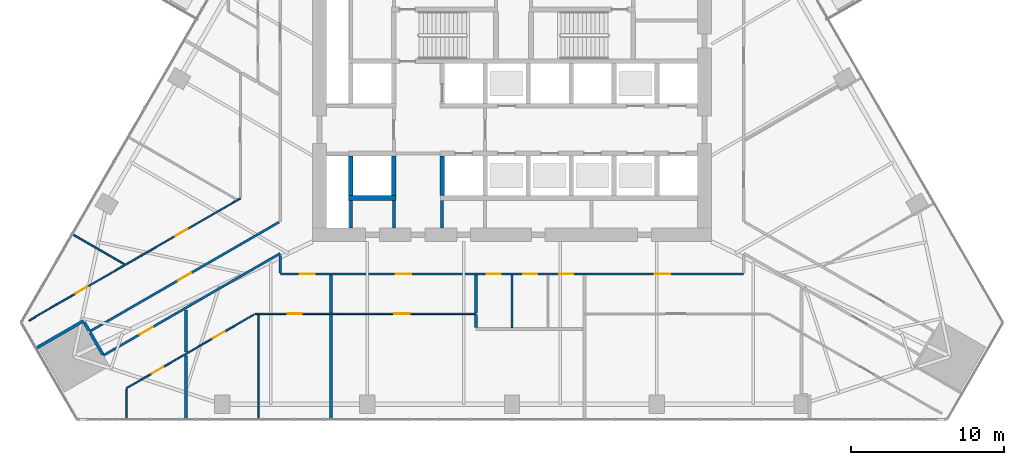
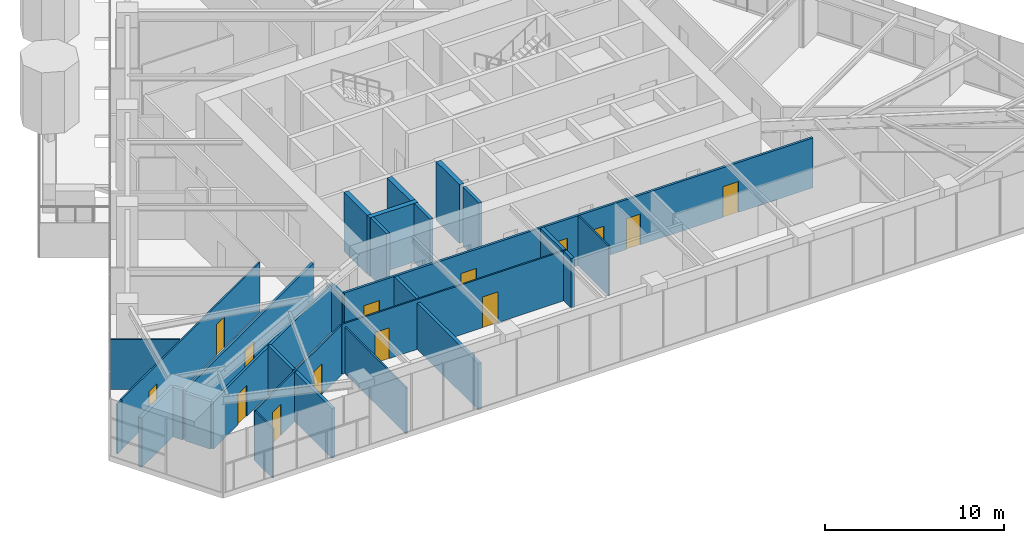
# One storey, part 16 of 25: 28 walls, 14 doors, 14 openings.
"""IFC4 building model written with IfcOpenShell, lengths in metres."""

from ifc_helpers import new_model, si_unit, direction, frame, frame_2d, origin, place, context, subcontext, project, spatial, rectangle, extrude, material, layer, layer_set, type_object, element, fill, save


model = new_model("IFC4")

# Units and contexts
model_context = context("Model", 3, precision=1e-05, world=origin(), true_north=direction((0.0, 1.0)))
body_context = subcontext(model_context, "Body", "Model", "MODEL_VIEW")
ifc_project = project(units=[si_unit("LENGTHUNIT", "METRE"), si_unit("AREAUNIT", "SQUARE_METRE"), si_unit("VOLUMEUNIT", "CUBIC_METRE"), si_unit("PLANEANGLEUNIT", "RADIAN"), si_unit("MASSUNIT", "GRAM", prefix="KILO")], contexts=[model_context])

# Site, building, storey
site_placement = place(None, origin())
site = spatial("IfcSite", under=ifc_project, at=site_placement, CompositionType="ELEMENT")
building_placement = place(site_placement, origin())
building = spatial("IfcBuilding", under=site, at=building_placement, Name="Firuza Gate Tower and Library", CompositionType="ELEMENT")
storey_placement = place(building_placement, frame((0.0, 0.0, 86.199951171875)))
storey = spatial("IfcBuildingStorey", under=building, at=storey_placement, Name="L19", CompositionType="ELEMENT", Elevation=86.199951171875)

# Walls
ifc_material_1 = material(Name="Plasterboard on steel studs", Category="steel")
ifc_layer_1 = layer(ifc_material_1, 0.199951171875)
ifc_layer_set_1 = layer_set([ifc_layer_1], Name="Core partition 200 EI 120")
wall_type_1 = type_object("IfcWallType", Name="Core partition 200 EI 120", PredefinedType="PARTITIONING", material=ifc_layer_set_1)
for number, where, z_axis, x_axis, name in (
    (1, (64.5, 66.89990234375, 0.0), (0.0, 0.0, 1.0), (0.0, 1.0, 0.0), "Core partition L19 5"),
    (2, (67.300048828125, 66.89990234375, 0.0), (0.0, 0.0, 1.0), (0.0, 1.0, 0.0), "Core partition L19 7"),
    (3, (70.449951171875, 66.89990234375, 0.0), (0.0, 0.0, 1.0), (0.0, 1.0, 0.0), "Core partition L19 10"),
):
    element("IfcWall", number, at=place(storey_placement, frame(where, z_axis=z_axis, x_axis=x_axis)), inside=storey, type_object=wall_type_1, Name=name, PredefinedType="PARTITIONING", context=body_context, shape_type="SweptSolid", body=[
        extrude(rectangle(XDim=1.800048828125, YDim=0.199951171875, at=frame_2d((0.89990234375, 0.0))), origin(), (0.0, 0.0, 1.0), 4.0),
    ])
ifc_material_2 = material(Name="Concrete C80/95", Category="concrete")
ifc_layer_2 = layer(ifc_material_2, 0.300048828125)
ifc_layer_set_2 = layer_set([ifc_layer_2], Name="Core wall 300 C80/95")
wall_type_2 = type_object("IfcWallType", Name="Core wall 300 C80/95", PredefinedType="SHEAR", material=ifc_layer_set_2)
wall_1_placement = place(storey_placement, frame((64.35009765625, 68.85009765625, 0.0), z_axis=(0.0, 0.0, 1.0), x_axis=(1.0, 0.0, 0.0)))
element("IfcWall", 4, at=wall_1_placement, inside=storey, type_object=wall_type_2, Name="Core wall L19 5", PredefinedType="SHEAR", context=body_context, shape_type="SweptSolid", body=[
    extrude(rectangle(XDim=3.099853515625, YDim=0.300048828125, at=frame_2d((1.5498046875, 0.0))), origin(), (0.0, 0.0, 1.0), 4.0),
])
for number, where, z_axis, x_axis, name in (
    (5, (64.5, 69.0, 0.0), (0.0, 0.0, 1.0), (0.0, 1.0, 0.0), "Core wall L19 11"),
    (6, (67.300048828125, 69.0, 0.0), (0.0, 0.0, 1.0), (0.0, 1.0, 0.0), "Core wall L19 13"),
    (7, (70.449951171875, 69.0, 0.0), (0.0, 0.0, 1.0), (0.0, 1.0, 0.0), "Core wall L19 15"),
):
    element("IfcWall", number, at=place(storey_placement, frame(where, z_axis=z_axis, x_axis=x_axis)), inside=storey, type_object=wall_type_2, Name=name, PredefinedType="SHEAR", context=body_context, shape_type="SweptSolid", body=[
        extrude(rectangle(XDim=2.60009765625, YDim=0.300048828125, at=frame_2d((1.300048828125, 0.0))), origin(), (0.0, 0.0, 1.0), 4.0),
    ])

# Wall, openings, doors
ifc_material_3 = material(Name="Gypsum board partition")
ifc_layer_3 = layer(ifc_material_3, 0.14990234375)
ifc_layer_set_3 = layer_set([ifc_layer_3], Name="Corridor wall 150 double board on steel studs")
wall_type_3 = type_object("IfcWallType", Name="Corridor wall 150 double board on steel studs", PredefinedType="PARTITIONING", material=ifc_layer_set_3)
wall_2_placement = place(storey_placement, frame((90.10009765625, 63.89990234375, 0.0), z_axis=(0.0, 0.0, 1.0), x_axis=(-1.0, 0.0, 0.0)))
wall_2 = element("IfcWall", 8, at=wall_2_placement, inside=storey, type_object=wall_type_3, Name="f:L19:w004", PredefinedType="PARTITIONING", context=body_context, shape_type="SweptSolid", body=[
    extrude(rectangle(XDim=30.2001953125, YDim=0.14990234375, at=frame_2d((15.10009765625, 0.0))), origin(), (0.0, 0.0, 1.0), 3.400146484375),
])
opening_1_placement = place(wall_2_placement, frame((4.79248046875, 0.0, 0.0)))
opening_1 = element("IfcOpeningElement", 9, at=opening_1_placement, cuts=wall_2, Name="Opening L19-04", PredefinedType="OPENING", context=body_context, shape_type="SweptSolid", body=[
    extrude(rectangle(XDim=1.0, YDim=2.10009765625, at=frame_2d((0.5, 1.050048828125))), frame((0.0, 0.0849609375, 0.0), z_axis=(0.0, -1.0, 0.0), x_axis=(1.0, 0.0, 0.0)), (0.0, 0.0, 1.0), 0.169921875),
])
opening_2_placement = place(wall_2_placement, frame((11.111328125, 0.0, 0.0)))
opening_2 = element("IfcOpeningElement", 10, at=opening_2_placement, cuts=wall_2, Name="Opening L19-05", PredefinedType="OPENING", context=body_context, shape_type="SweptSolid", body=[
    extrude(rectangle(XDim=0.89990234375, YDim=2.10009765625, at=frame_2d((0.449951171875, 1.050048828125))), frame((0.0, 0.0849609375, 0.0), z_axis=(0.0, -1.0, 0.0), x_axis=(1.0, 0.0, 0.0)), (0.0, 0.0, 1.0), 0.169921875),
])
opening_3_placement = place(wall_2_placement, frame((13.470458984375, 0.0, 0.0)))
opening_3 = element("IfcOpeningElement", 11, at=opening_3_placement, cuts=wall_2, Name="Opening L19-06", PredefinedType="OPENING", context=body_context, shape_type="SweptSolid", body=[
    extrude(rectangle(XDim=0.89990234375, YDim=2.10009765625, at=frame_2d((0.449951171875, 1.050048828125))), frame((0.0, 0.0849609375, 0.0), z_axis=(0.0, -1.0, 0.0), x_axis=(1.0, 0.0, 0.0)), (0.0, 0.0, 1.0), 0.169921875),
])
opening_4_placement = place(wall_2_placement, frame((15.82958984375, 0.0, 0.0)))
opening_4 = element("IfcOpeningElement", 12, at=opening_4_placement, cuts=wall_2, Name="Opening L19-07", PredefinedType="OPENING", context=body_context, shape_type="SweptSolid", body=[
    extrude(rectangle(XDim=0.89990234375, YDim=2.10009765625, at=frame_2d((0.449951171875, 1.050048828125))), frame((0.0, 0.0849609375, 0.0), z_axis=(0.0, -1.0, 0.0), x_axis=(1.0, 0.0, 0.0)), (0.0, 0.0, 1.0), 0.169921875),
])
opening_5_placement = place(wall_2_placement, frame((21.677001953125, 0.0, 0.0)))
opening_5 = element("IfcOpeningElement", 13, at=opening_5_placement, cuts=wall_2, Name="Opening L19-08", PredefinedType="OPENING", context=body_context, shape_type="SweptSolid", body=[
    extrude(rectangle(XDim=1.0, YDim=2.10009765625, at=frame_2d((0.5, 1.050048828125))), frame((0.0, 0.0849609375, 0.0), z_axis=(0.0, -1.0, 0.0), x_axis=(1.0, 0.0, 0.0)), (0.0, 0.0, 1.0), 0.169921875),
])
opening_6_placement = place(wall_2_placement, frame((27.946044921875, 0.0, 0.0)))
opening_6 = element("IfcOpeningElement", 14, at=opening_6_placement, cuts=wall_2, Name="Opening L19-09", PredefinedType="OPENING", context=body_context, shape_type="SweptSolid", body=[
    extrude(rectangle(XDim=1.0, YDim=2.10009765625, at=frame_2d((0.5, 1.050048828125))), frame((0.0, 0.0849609375, 0.0), z_axis=(0.0, -1.0, 0.0), x_axis=(1.0, 0.0, 0.0)), (0.0, 0.0, 1.0), 0.169921875),
])
ifc_material_4 = material(Name="Steel door and timber leaf", Category="steel")
door_type_1 = type_object("IfcDoorType", Name="Fire door 1000 x 2100 steel frame, timber leaf", OperationType="NOTDEFINED", PredefinedType="DOOR", material=ifc_material_4)
door_1_placement = place(opening_1_placement, origin())
door_1 = element("IfcDoor", 15, at=door_1_placement, inside=storey, type_object=door_type_1, Name="f:L19:d004", OperationType="SINGLE_SWING_LEFT", OverallHeight=2.10009765625, OverallWidth=1.0, PredefinedType="DOOR", context=body_context, shape_type="SweptSolid", body=[
    extrude(rectangle(XDim=1.0, YDim=2.10009765625, at=frame_2d((0.5, 1.050048828125))), frame((0.0, 0.02490234375, 0.0), z_axis=(0.0, -1.0, 0.0), x_axis=(1.0, 0.0, 0.0)), (0.0, 0.0, 1.0), 0.050048828125),
])
fill(opening_1, door_1)
door_2_placement = place(opening_5_placement, origin())
door_2 = element("IfcDoor", 16, at=door_2_placement, inside=storey, type_object=door_type_1, Name="f:L19:d008", OperationType="SINGLE_SWING_RIGHT", OverallHeight=2.10009765625, OverallWidth=1.0, PredefinedType="DOOR", context=body_context, shape_type="SweptSolid", body=[
    extrude(rectangle(XDim=1.0, YDim=2.10009765625, at=frame_2d((0.5, 1.050048828125))), frame((0.0, 0.02490234375, 0.0), z_axis=(0.0, -1.0, 0.0), x_axis=(1.0, 0.0, 0.0)), (0.0, 0.0, 1.0), 0.050048828125),
])
fill(opening_5, door_2)
door_3_placement = place(opening_6_placement, origin())
door_3 = element("IfcDoor", 17, at=door_3_placement, inside=storey, type_object=door_type_1, Name="f:L19:d009", OperationType="SINGLE_SWING_RIGHT", OverallHeight=2.10009765625, OverallWidth=1.0, PredefinedType="DOOR", context=body_context, shape_type="SweptSolid", body=[
    extrude(rectangle(XDim=1.0, YDim=2.10009765625, at=frame_2d((0.5, 1.050048828125))), frame((0.0, 0.02490234375, 0.0), z_axis=(0.0, -1.0, 0.0), x_axis=(1.0, 0.0, 0.0)), (0.0, 0.0, 1.0), 0.050048828125),
])
fill(opening_6, door_3)
ifc_material_5 = material(Name="Steel door and timber leaf", Category="steel")
door_type_2 = type_object("IfcDoorType", Name="Fire door 900 x 2100 steel frame, timber leaf", OperationType="NOTDEFINED", PredefinedType="DOOR", material=ifc_material_5)
door_4_placement = place(opening_2_placement, origin())
door_4 = element("IfcDoor", 18, at=door_4_placement, inside=storey, type_object=door_type_2, Name="f:L19:d005", OperationType="SINGLE_SWING_LEFT", OverallHeight=2.10009765625, OverallWidth=0.89990234375, PredefinedType="DOOR", context=body_context, shape_type="SweptSolid", body=[
    extrude(rectangle(XDim=0.89990234375, YDim=2.10009765625, at=frame_2d((0.449951171875, 1.050048828125))), frame((0.0, 0.02490234375, 0.0), z_axis=(0.0, -1.0, 0.0), x_axis=(1.0, 0.0, 0.0)), (0.0, 0.0, 1.0), 0.050048828125),
])
fill(opening_2, door_4)
door_5_placement = place(opening_3_placement, origin())
door_5 = element("IfcDoor", 19, at=door_5_placement, inside=storey, type_object=door_type_2, Name="f:L19:d006", OperationType="SINGLE_SWING_RIGHT", OverallHeight=2.10009765625, OverallWidth=0.89990234375, PredefinedType="DOOR", context=body_context, shape_type="SweptSolid", body=[
    extrude(rectangle(XDim=0.89990234375, YDim=2.10009765625, at=frame_2d((0.449951171875, 1.050048828125))), frame((0.0, 0.02490234375, 0.0), z_axis=(0.0, -1.0, 0.0), x_axis=(1.0, 0.0, 0.0)), (0.0, 0.0, 1.0), 0.050048828125),
])
fill(opening_3, door_5)
door_6_placement = place(opening_4_placement, origin())
door_6 = element("IfcDoor", 20, at=door_6_placement, inside=storey, type_object=door_type_2, Name="f:L19:d007", OperationType="SINGLE_SWING_LEFT", OverallHeight=2.10009765625, OverallWidth=0.89990234375, PredefinedType="DOOR", context=body_context, shape_type="SweptSolid", body=[
    extrude(rectangle(XDim=0.89990234375, YDim=2.10009765625, at=frame_2d((0.449951171875, 1.050048828125))), frame((0.0, 0.02490234375, 0.0), z_axis=(0.0, -1.0, 0.0), x_axis=(1.0, 0.0, 0.0)), (0.0, 0.0, 1.0), 0.050048828125),
])
fill(opening_4, door_6)

# Wall, opening, door
wall_3_placement = place(storey_placement, frame((59.89990234375, 65.242919921875, 0.0), z_axis=(0.0, 0.0, 1.0), x_axis=(-0.866025527764, -0.499999785261, 0.0)))
wall_3 = element("IfcWall", 21, at=wall_3_placement, inside=storey, type_object=wall_type_3, Name="f:L19:w016", PredefinedType="PARTITIONING", context=body_context, shape_type="SweptSolid", body=[
    extrude(rectangle(XDim=13.31005859375, YDim=0.14990234375, at=frame_2d((6.655029296875, 0.0))), origin(), (0.0, 0.0, 1.0), 3.2470703125),
])
opening_7_placement = place(wall_3_placement, frame((9.593505859375, 0.0, 0.0)))
opening_7 = element("IfcOpeningElement", 22, at=opening_7_placement, cuts=wall_3, Name="Opening L19-17", PredefinedType="OPENING", context=body_context, shape_type="SweptSolid", body=[
    extrude(rectangle(XDim=1.0, YDim=2.10009765625, at=frame_2d((0.5, 1.050048828125))), frame((0.0, 0.0849609375, 0.0), z_axis=(0.0, -1.0, 0.0), x_axis=(1.0, 0.0, 0.0)), (0.0, 0.0, 1.0), 0.169921875),
])
door_7_placement = place(opening_7_placement, origin())
door_7 = element("IfcDoor", 23, at=door_7_placement, inside=storey, type_object=door_type_1, Name="f:L19:d017", OperationType="SINGLE_SWING_RIGHT", OverallHeight=2.10009765625, OverallWidth=1.0, PredefinedType="DOOR", context=body_context, shape_type="SweptSolid", body=[
    extrude(rectangle(XDim=1.0, YDim=2.10009765625, at=frame_2d((0.5, 1.050048828125))), frame((0.0, 0.02490234375, 0.0), z_axis=(0.0, -1.0, 0.0), x_axis=(1.0, 0.0, 0.0)), (0.0, 0.0, 1.0), 0.050048828125),
])
fill(opening_7, door_7)

wall_4_placement = place(storey_placement, frame((47.47265625, 60.146484375, 0.0), z_axis=(0.0, 0.0, 1.0), x_axis=(0.866025677055, 0.499999526681, 0.0)))
wall_4 = element("IfcWall", 24, at=wall_4_placement, inside=storey, type_object=wall_type_3, Name="f:L19:w019", PredefinedType="PARTITIONING", context=body_context, shape_type="SweptSolid", body=[
    extrude(rectangle(XDim=14.26318359375, YDim=0.14990234375, at=frame_2d((7.131591796875, 0.0))), origin(), (0.0, 0.0, 1.0), 3.400146484375),
])
opening_8_placement = place(wall_4_placement, frame((6.631591796875, 0.0, 0.0)))
opening_8 = element("IfcOpeningElement", 25, at=opening_8_placement, cuts=wall_4, Name="Opening L19-18", PredefinedType="OPENING", context=body_context, shape_type="SweptSolid", body=[
    extrude(rectangle(XDim=1.0, YDim=2.10009765625, at=frame_2d((0.5, 1.050048828125))), frame((0.0, 0.0849609375, 0.0), z_axis=(0.0, -1.0, 0.0), x_axis=(1.0, 0.0, 0.0)), (0.0, 0.0, 1.0), 0.169921875),
])
door_8_placement = place(opening_8_placement, origin())
door_8 = element("IfcDoor", 26, at=door_8_placement, inside=storey, type_object=door_type_1, Name="f:L19:d018", OperationType="SINGLE_SWING_LEFT", OverallHeight=2.10009765625, OverallWidth=1.0, PredefinedType="DOOR", context=body_context, shape_type="SweptSolid", body=[
    extrude(rectangle(XDim=1.0, YDim=2.10009765625, at=frame_2d((0.5, 1.050048828125))), frame((0.0, 0.02490234375, 0.0), z_axis=(0.0, -1.0, 0.0), x_axis=(1.0, 0.0, 0.0)), (0.0, 0.0, 1.0), 0.050048828125),
])
fill(opening_8, door_8)

# Walls
wall_5_placement = place(storey_placement, frame((59.89990234375, 63.97509765625, 0.0), z_axis=(0.0, 0.0, 1.0), x_axis=(0.0, 1.0, 0.0)))
element("IfcWall", 27, at=wall_5_placement, inside=storey, type_object=wall_type_3, Name="f:L19:w046", PredefinedType="PARTITIONING", context=body_context, shape_type="SweptSolid", body=[
    extrude(rectangle(XDim=1.131103515625, YDim=0.14990234375, at=frame_2d((0.5654296875, 0.0))), origin(), (0.0, 0.0, 1.0), 3.2470703125),
])
ifc_material_6 = material(Name="Gypsum board partition")
ifc_layer_4 = layer(ifc_material_6, 0.199951171875)
ifc_layer_set_4 = layer_set([ifc_layer_4], Name="Demising wall 200 acoustic double stud")
wall_type_4 = type_object("IfcWallType", Name="Demising wall 200 acoustic double stud", PredefinedType="PARTITIONING", material=ifc_layer_set_4)
wall_6_placement = place(storey_placement, frame((43.989990234375, 59.058349609375, 0.0), z_axis=(0.0, 0.0, 1.0), x_axis=(0.866031398331, 0.499989616998, 0.0)))
element("IfcWall", 28, at=wall_6_placement, inside=storey, type_object=wall_type_4, Name="f:L19:w020", PredefinedType="PARTITIONING", context=body_context, shape_type="SweptSolid", body=[
    extrude(rectangle(XDim=3.5595703125, YDim=0.199951171875, at=frame_2d((1.77978515625, 0.0))), origin(), (0.0, 0.0, 1.0), 3.400146484375),
])
wall_7_placement = place(storey_placement, frame((72.64111328125, 60.39990234375, 0.0), z_axis=(0.0, 0.0, 1.0), x_axis=(0.0, 1.0, 0.0)))
element("IfcWall", 29, at=wall_7_placement, inside=storey, type_object=wall_type_4, Name="f:L19:w042", PredefinedType="PARTITIONING", context=body_context, shape_type="SweptSolid", body=[
    extrude(rectangle(XDim=0.85009765625, YDim=0.199951171875, at=frame_2d((0.425048828125, 0.0))), origin(), (0.0, 0.0, 1.0), 3.400146484375),
])
wall_8_placement = place(storey_placement, frame((63.205078125, 54.439208984375, 0.0), z_axis=(0.0, 0.0, 1.0), x_axis=(0.0, 1.0, 0.0)))
element("IfcWall", 30, at=wall_8_placement, inside=storey, type_object=wall_type_4, Name="f:L19:w045", PredefinedType="PARTITIONING", context=body_context, shape_type="SweptSolid", body=[
    extrude(rectangle(XDim=6.810791015625, YDim=0.199951171875, at=frame_2d((3.4052734375, 0.0))), origin(), (0.0, 0.0, 1.0), 3.1650390625),
])
wall_9_placement = place(storey_placement, frame((53.76904296875, 54.439208984375, 0.0), z_axis=(0.0, 0.0, 1.0), x_axis=(0.0, 1.0, 0.0)))
element("IfcWall", 31, at=wall_9_placement, inside=storey, type_object=wall_type_4, Name="f:L19:w052", PredefinedType="PARTITIONING", context=body_context, shape_type="SweptSolid", body=[
    extrude(rectangle(XDim=4.146240234375, YDim=0.199951171875, at=frame_2d((2.0732421875, 0.0))), origin(), (0.0, 0.0, 1.0), 3.400146484375),
])
wall_10_placement = place(storey_placement, frame((48.335205078125, 58.653076171875, 0.0), z_axis=(0.0, 0.0, 1.0), x_axis=(-0.499991515992, 0.866030301974, 0.0)))
element("IfcWall", 32, at=wall_10_placement, inside=storey, type_object=wall_type_4, Name="f:L19:w057", PredefinedType="PARTITIONING", context=body_context, shape_type="SweptSolid", body=[
    extrude(rectangle(XDim=1.6494140625, YDim=0.199951171875, at=frame_2d((0.82470703125, 0.0))), origin(), (0.0, 0.0, 1.0), 3.2470703125),
])
wall_11_placement = place(storey_placement, frame((72.64111328125, 61.35009765625, 0.0), z_axis=(0.0, 0.0, 1.0), x_axis=(0.0, 1.0, 0.0)))
element("IfcWall", 33, at=wall_11_placement, inside=storey, type_object=wall_type_4, Name="f:L19:w075", PredefinedType="PARTITIONING", context=body_context, shape_type="SweptSolid", body=[
    extrude(rectangle(XDim=2.474853515625, YDim=0.199951171875, at=frame_2d((1.2373046875, 0.0))), origin(), (0.0, 0.0, 1.0), 3.400146484375),
])
wall_12_placement = place(storey_placement, frame((53.76904296875, 58.81640625, 0.0), z_axis=(0.0, 0.0, 1.0), x_axis=(0.0, 1.0, 0.0)))
element("IfcWall", 34, at=wall_12_placement, inside=storey, type_object=wall_type_4, Name="f:L19:w078", PredefinedType="PARTITIONING", context=body_context, shape_type="SweptSolid", body=[
    extrude(rectangle(XDim=2.73974609375, YDim=0.199951171875, at=frame_2d((1.369873046875, 0.0))), origin(), (0.0, 0.0, 1.0), 3.400146484375),
])
wall_13_placement = place(storey_placement, frame((47.435302734375, 60.21142578125, 0.0), z_axis=(0.0, 0.0, 1.0), x_axis=(-0.499801510763, 0.866139971275, 0.0)))
element("IfcWall", 35, at=wall_13_placement, inside=storey, type_object=wall_type_4, Name="f:L19:w079", PredefinedType="PARTITIONING", context=body_context, shape_type="SweptSolid", body=[
    extrude(rectangle(XDim=0.623779296875, YDim=0.199951171875, at=frame_2d((0.31201171875, 0.0))), origin(), (0.0, 0.0, 1.0), 3.400146484375),
])
wall_14_placement = place(storey_placement, frame((63.205078125, 61.35009765625, 0.0), z_axis=(0.0, 0.0, 1.0), x_axis=(0.0, 1.0, 0.0)))
element("IfcWall", 36, at=wall_14_placement, inside=storey, type_object=wall_type_4, Name="f:L19:w084", PredefinedType="PARTITIONING", context=body_context, shape_type="SweptSolid", body=[
    extrude(rectangle(XDim=2.474853515625, YDim=0.199951171875, at=frame_2d((1.2373046875, 0.0))), origin(), (0.0, 0.0, 1.0), 3.400146484375),
])

# Wall, openings, doors
ifc_material_7 = material(Name="Gypsum board partition")
ifc_layer_5 = layer(ifc_material_7, 0.10009765625)
ifc_layer_set_5 = layer_set([ifc_layer_5], Name="Partition 100 gypsum board on steel studs")
wall_type_5 = type_object("IfcWallType", Name="Partition 100 gypsum board on steel studs", PredefinedType="PARTITIONING", material=ifc_layer_set_5)
wall_15_placement = place(storey_placement, frame((58.27099609375, 61.300048828125, 0.0), z_axis=(0.0, 0.0, 1.0), x_axis=(1.0, 0.0, 0.0)))
wall_15 = element("IfcWall", 37, at=wall_15_placement, inside=storey, type_object=wall_type_5, Name="f:L19:w002", PredefinedType="PARTITIONING", context=body_context, shape_type="SweptSolid", body=[
    extrude(rectangle(XDim=14.369873046875, YDim=0.10009765625, at=frame_2d((7.18505859375, 0.0))), origin(), (0.0, 0.0, 1.0), 3.400146484375),
])
opening_9_placement = place(wall_15_placement, frame((2.123291015625, 0.0, 0.0)))
opening_9 = element("IfcOpeningElement", 38, at=opening_9_placement, cuts=wall_15, Name="Opening L19-01", PredefinedType="OPENING", context=body_context, shape_type="SweptSolid", body=[
    extrude(rectangle(XDim=0.89990234375, YDim=2.10009765625, at=frame_2d((0.449951171875, 1.050048828125))), frame((0.0, 0.06005859375, 0.0), z_axis=(0.0, -1.0, 0.0), x_axis=(1.0, 0.0, 0.0)), (0.0, 0.0, 1.0), 0.1201171875),
])
opening_10_placement = place(wall_15_placement, frame((9.052001953125, 0.0, 0.0)))
opening_10 = element("IfcOpeningElement", 39, at=opening_10_placement, cuts=wall_15, Name="Opening L19-02", PredefinedType="OPENING", context=body_context, shape_type="SweptSolid", body=[
    extrude(rectangle(XDim=1.0, YDim=2.10009765625, at=frame_2d((0.5, 1.050048828125))), frame((0.0, 0.06005859375, 0.0), z_axis=(0.0, -1.0, 0.0), x_axis=(1.0, 0.0, 0.0)), (0.0, 0.0, 1.0), 0.1201171875),
])
ifc_material_8 = material(Name="Timber door", Category="wood")
door_type_3 = type_object("IfcDoorType", Name="Door 1000 x 2100 timber leaf", OperationType="NOTDEFINED", PredefinedType="DOOR", material=ifc_material_8)
door_9_placement = place(opening_10_placement, origin())
door_9 = element("IfcDoor", 40, at=door_9_placement, inside=storey, type_object=door_type_3, Name="f:L19:d002", OperationType="SINGLE_SWING_RIGHT", OverallHeight=2.10009765625, OverallWidth=1.0, PredefinedType="DOOR", context=body_context, shape_type="SweptSolid", body=[
    extrude(rectangle(XDim=1.0, YDim=2.10009765625, at=frame_2d((0.5, 1.050048828125))), frame((0.0, 0.02490234375, 0.0), z_axis=(0.0, -1.0, 0.0), x_axis=(1.0, 0.0, 0.0)), (0.0, 0.0, 1.0), 0.050048828125),
])
fill(opening_10, door_9)
ifc_material_9 = material(Name="Timber door", Category="wood")
door_type_4 = type_object("IfcDoorType", Name="Door 900 x 2100 timber leaf", OperationType="NOTDEFINED", PredefinedType="DOOR", material=ifc_material_9)
door_10_placement = place(opening_9_placement, origin())
door_10 = element("IfcDoor", 41, at=door_10_placement, inside=storey, type_object=door_type_4, Name="f:L19:d001", OperationType="SINGLE_SWING_LEFT", OverallHeight=2.10009765625, OverallWidth=0.89990234375, PredefinedType="DOOR", context=body_context, shape_type="SweptSolid", body=[
    extrude(rectangle(XDim=0.89990234375, YDim=2.10009765625, at=frame_2d((0.449951171875, 1.050048828125))), frame((0.0, 0.02490234375, 0.0), z_axis=(0.0, -1.0, 0.0), x_axis=(1.0, 0.0, 0.0)), (0.0, 0.0, 1.0), 0.050048828125),
])
fill(opening_9, door_10)

wall_16_placement = place(storey_placement, frame((49.885009765625, 56.45849609375, 0.0), z_axis=(0.0, 0.0, 1.0), x_axis=(0.866030313286, 0.499991496398, 0.0)))
wall_16 = element("IfcWall", 42, at=wall_16_placement, inside=storey, type_object=wall_type_5, Name="f:L19:w015", PredefinedType="PARTITIONING", context=body_context, shape_type="SweptSolid", body=[
    extrude(rectangle(XDim=9.583251953125, YDim=0.10009765625, at=frame_2d((4.79150390625, 0.0))), origin(), (0.0, 0.0, 1.0), 3.400146484375),
])
opening_11_placement = place(wall_16_placement, frame((1.89208984375, 0.0, 0.0)))
opening_11 = element("IfcOpeningElement", 43, at=opening_11_placement, cuts=wall_16, Name="Opening L19-15", PredefinedType="OPENING", context=body_context, shape_type="SweptSolid", body=[
    extrude(rectangle(XDim=0.89990234375, YDim=2.10009765625, at=frame_2d((0.449951171875, 1.050048828125))), frame((0.0, 0.06005859375, 0.0), z_axis=(0.0, -1.0, 0.0), x_axis=(1.0, 0.0, 0.0)), (0.0, 0.0, 1.0), 0.1201171875),
])
opening_12_placement = place(wall_16_placement, frame((6.48388671875, 0.0, 0.0)))
opening_12 = element("IfcOpeningElement", 44, at=opening_12_placement, cuts=wall_16, Name="Opening L19-16", PredefinedType="OPENING", context=body_context, shape_type="SweptSolid", body=[
    extrude(rectangle(XDim=0.89990234375, YDim=2.10009765625, at=frame_2d((0.449951171875, 1.050048828125))), frame((0.0, 0.06005859375, 0.0), z_axis=(0.0, -1.0, 0.0), x_axis=(1.0, 0.0, 0.0)), (0.0, 0.0, 1.0), 0.1201171875),
])
door_11_placement = place(opening_11_placement, origin())
door_11 = element("IfcDoor", 45, at=door_11_placement, inside=storey, type_object=door_type_4, Name="f:L19:d015", OperationType="SINGLE_SWING_RIGHT", OverallHeight=2.10009765625, OverallWidth=0.89990234375, PredefinedType="DOOR", context=body_context, shape_type="SweptSolid", body=[
    extrude(rectangle(XDim=0.89990234375, YDim=2.10009765625, at=frame_2d((0.449951171875, 1.050048828125))), frame((0.0, 0.02490234375, 0.0), z_axis=(0.0, -1.0, 0.0), x_axis=(1.0, 0.0, 0.0)), (0.0, 0.0, 1.0), 0.050048828125),
])
fill(opening_11, door_11)
door_12_placement = place(opening_12_placement, origin())
door_12 = element("IfcDoor", 46, at=door_12_placement, inside=storey, type_object=door_type_4, Name="f:L19:d016", OperationType="SINGLE_SWING_RIGHT", OverallHeight=2.10009765625, OverallWidth=0.89990234375, PredefinedType="DOOR", context=body_context, shape_type="SweptSolid", body=[
    extrude(rectangle(XDim=0.89990234375, YDim=2.10009765625, at=frame_2d((0.449951171875, 1.050048828125))), frame((0.0, 0.02490234375, 0.0), z_axis=(0.0, -1.0, 0.0), x_axis=(1.0, 0.0, 0.0)), (0.0, 0.0, 1.0), 0.050048828125),
])
fill(opening_12, door_12)

# Wall
wall_17_placement = place(storey_placement, frame((43.520751953125, 60.844970703125, 0.0), z_axis=(0.0, 0.0, 1.0), x_axis=(0.865979310119, 0.500079828073, 0.0)))
element("IfcWall", 47, at=wall_17_placement, inside=storey, type_object=wall_type_5, Name="f:L19:w021", PredefinedType="PARTITIONING", context=body_context, shape_type="SweptSolid", body=[
    extrude(rectangle(XDim=0.47314453125, YDim=0.10009765625, at=frame_2d((0.236572265625, 0.0))), origin(), (0.0, 0.0, 1.0), 3.400146484375),
])

# Wall, openings, doors
wall_18_placement = place(storey_placement, frame((57.300048828125, 68.822509765625, 0.0), z_axis=(0.0, 0.0, 1.0), x_axis=(-0.866026891502, -0.499997423189, 0.0)))
wall_18 = element("IfcWall", 48, at=wall_18_placement, inside=storey, type_object=wall_type_5, Name="f:L19:w022", PredefinedType="PARTITIONING", context=body_context, shape_type="SweptSolid", body=[
    extrude(rectangle(XDim=15.4482421875, YDim=0.10009765625, at=frame_2d((7.72412109375, 0.0))), origin(), (0.0, 0.0, 1.0), 3.400146484375),
])
opening_13_placement = place(wall_18_placement, frame((3.981689453125, 0.0, 0.0)))
opening_13 = element("IfcOpeningElement", 49, at=opening_13_placement, cuts=wall_18, Name="Opening L19-19", PredefinedType="OPENING", context=body_context, shape_type="SweptSolid", body=[
    extrude(rectangle(XDim=0.89990234375, YDim=2.10009765625, at=frame_2d((0.449951171875, 1.050048828125))), frame((0.0, 0.06005859375, 0.0), z_axis=(0.0, -1.0, 0.0), x_axis=(1.0, 0.0, 0.0)), (0.0, 0.0, 1.0), 0.1201171875),
])
opening_14_placement = place(wall_18_placement, frame((11.497802734375, 0.0, 0.0)))
opening_14 = element("IfcOpeningElement", 50, at=opening_14_placement, cuts=wall_18, Name="Opening L19-20", PredefinedType="OPENING", context=body_context, shape_type="SweptSolid", body=[
    extrude(rectangle(XDim=0.89990234375, YDim=2.10009765625, at=frame_2d((0.449951171875, 1.050048828125))), frame((0.0, 0.06005859375, 0.0), z_axis=(0.0, -1.0, 0.0), x_axis=(1.0, 0.0, 0.0)), (0.0, 0.0, 1.0), 0.1201171875),
])
door_13_placement = place(opening_13_placement, origin())
door_13 = element("IfcDoor", 51, at=door_13_placement, inside=storey, type_object=door_type_4, Name="f:L19:d019", OperationType="SINGLE_SWING_RIGHT", OverallHeight=2.10009765625, OverallWidth=0.89990234375, PredefinedType="DOOR", context=body_context, shape_type="SweptSolid", body=[
    extrude(rectangle(XDim=0.89990234375, YDim=2.10009765625, at=frame_2d((0.449951171875, 1.050048828125))), frame((0.0, 0.02490234375, 0.0), z_axis=(0.0, -1.0, 0.0), x_axis=(1.0, 0.0, 0.0)), (0.0, 0.0, 1.0), 0.050048828125),
])
fill(opening_13, door_13)
door_14_placement = place(opening_14_placement, origin())
door_14 = element("IfcDoor", 52, at=door_14_placement, inside=storey, type_object=door_type_4, Name="f:L19:d020", OperationType="SINGLE_SWING_LEFT", OverallHeight=2.10009765625, OverallWidth=0.89990234375, PredefinedType="DOOR", context=body_context, shape_type="SweptSolid", body=[
    extrude(rectangle(XDim=0.89990234375, YDim=2.10009765625, at=frame_2d((0.449951171875, 1.050048828125))), frame((0.0, 0.02490234375, 0.0), z_axis=(0.0, -1.0, 0.0), x_axis=(1.0, 0.0, 0.0)), (0.0, 0.0, 1.0), 0.050048828125),
])
fill(opening_14, door_14)

# Walls
wall_19_placement = place(storey_placement, frame((75.0, 60.39990234375, 0.0), z_axis=(0.0, 0.0, 1.0), x_axis=(0.0, 1.0, 0.0)))
element("IfcWall", 53, at=wall_19_placement, inside=storey, type_object=wall_type_5, Name="f:L19:w040", PredefinedType="PARTITIONING", context=body_context, shape_type="SweptSolid", body=[
    extrude(rectangle(XDim=3.425048828125, YDim=0.10009765625, at=frame_2d((1.71240234375, 0.0))), origin(), (0.0, 0.0, 1.0), 3.400146484375),
])
wall_20_placement = place(storey_placement, frame((58.487060546875, 54.439208984375, 0.0), z_axis=(0.0, 0.0, 1.0), x_axis=(0.0, 1.0, 0.0)))
element("IfcWall", 54, at=wall_20_placement, inside=storey, type_object=wall_type_5, Name="f:L19:w048", PredefinedType="PARTITIONING", context=body_context, shape_type="SweptSolid", body=[
    extrude(rectangle(XDim=6.810791015625, YDim=0.10009765625, at=frame_2d((3.4052734375, 0.0))), origin(), (0.0, 0.0, 1.0), 3.1650390625),
])
wall_21_placement = place(storey_placement, frame((49.885009765625, 54.439208984375, 0.0), z_axis=(0.0, 0.0, 1.0), x_axis=(0.0, 1.0, 0.0)))
element("IfcWall", 55, at=wall_21_placement, inside=storey, type_object=wall_type_5, Name="f:L19:w053", PredefinedType="PARTITIONING", context=body_context, shape_type="SweptSolid", body=[
    extrude(rectangle(XDim=1.96142578125, YDim=0.10009765625, at=frame_2d((0.980712890625, 0.0))), origin(), (0.0, 0.0, 1.0), 3.400146484375),
])
wall_22_placement = place(storey_placement, frame((49.732421875, 64.54052734375, 0.0), z_axis=(0.0, 0.0, 1.0), x_axis=(-0.866020177134, 0.500009052715, 0.0)))
element("IfcWall", 56, at=wall_22_placement, inside=storey, type_object=wall_type_5, Name="f:L19:w074", PredefinedType="PARTITIONING", context=body_context, shape_type="SweptSolid", body=[
    extrude(rectangle(XDim=3.908203125, YDim=0.10009765625, at=frame_2d((1.9541015625, 0.0))), origin(), (0.0, 0.0, 1.0), 3.400146484375),
])

save(model, "model.ifc")
